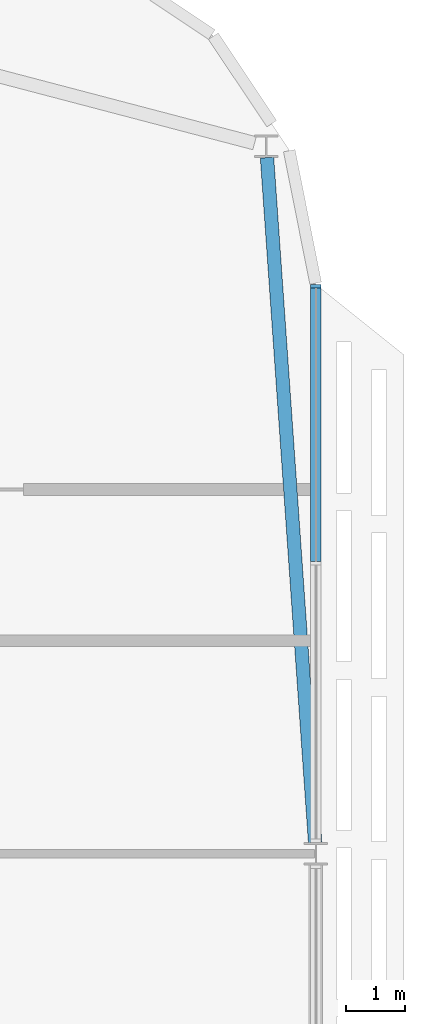
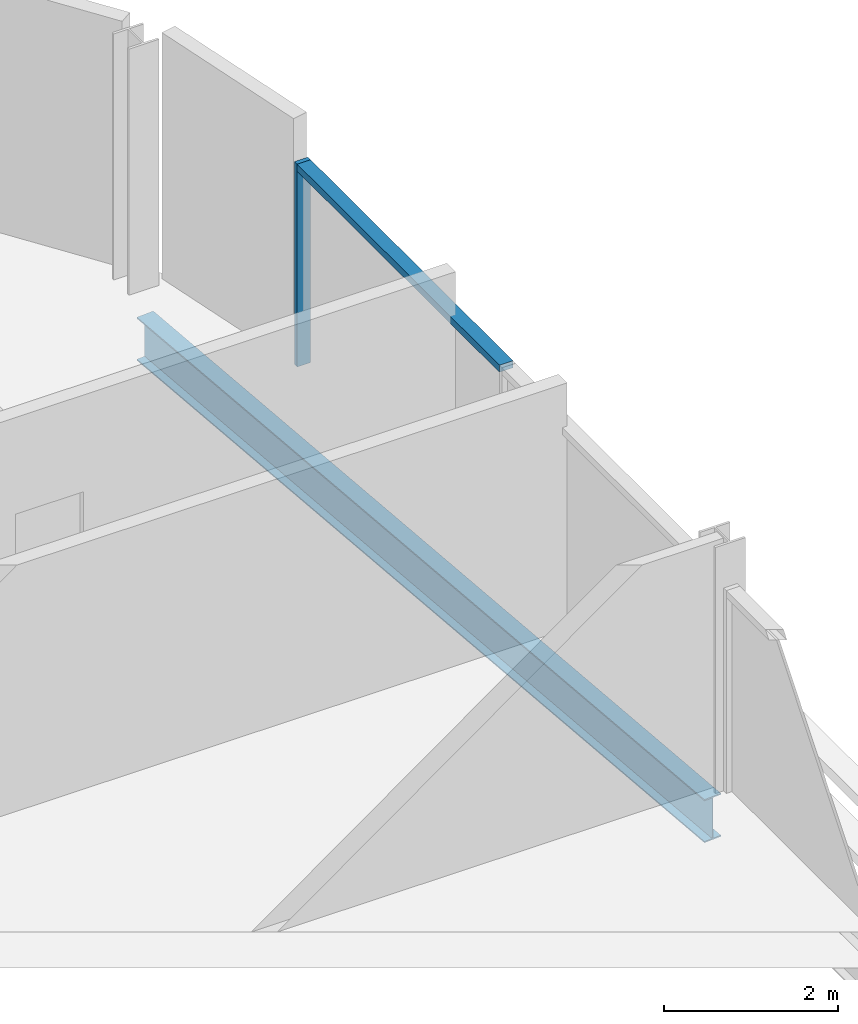
# One storey, part 15 of 34: 2 members, 1 beam, 1 element without a shape of its own.
"""IFC4 building model written with IfcOpenShell, lengths in metres."""

from ifc_helpers import new_model, si_unit, direction, frame, origin, origin_2d, place, context, subcontext, project, spatial, rectangle, i_section, extrude, material, material_profile, profile_set, type_object, element, aggregate, save


model = new_model("IFC4")

# Units and contexts
model_context = context("Model", 3, precision=1e-05, world=origin(), true_north=direction((0.0, 1.0)))
body_context = subcontext(model_context, "Body", "Model", "MODEL_VIEW")
ifc_project = project(units=[si_unit("LENGTHUNIT", "METRE"), si_unit("AREAUNIT", "SQUARE_METRE"), si_unit("VOLUMEUNIT", "CUBIC_METRE"), si_unit("PLANEANGLEUNIT", "RADIAN"), si_unit("MASSUNIT", "GRAM", prefix="KILO")], contexts=[model_context])

# Site, building, storey
site_placement = place(None, origin())
site = spatial("IfcSite", under=ifc_project, at=site_placement, CompositionType="ELEMENT")
building_placement = place(site_placement, origin())
building = spatial("IfcBuilding", under=site, at=building_placement, Name="Mahtab Terrace Research Tower", CompositionType="ELEMENT")
storey_placement = place(building_placement, frame((0.0, 0.0, 247.60009765625)))
storey = spatial("IfcBuildingStorey", under=building, at=storey_placement, Name="L60", CompositionType="ELEMENT", Elevation=247.60009765625)

# Curtain wall, members
ifc_material_1 = material(Name="Office ribbon curtain wall")
curtain_wall_type = type_object("IfcCurtainWallType", Name="Office ribbon curtain wall", PredefinedType="NOTDEFINED", material=ifc_material_1)
curtain_wall_placement = place(storey_placement, origin())
curtain_wall = element("IfcCurtainWall", 1, at=curtain_wall_placement, inside=storey, type_object=curtain_wall_type, Name="EN.L60.18.23", PredefinedType="NOTDEFINED")
ifc_material_2 = material(Name="Natural anodised aluminium", Category="aluminium")
ifc_material_profile_1 = material_profile(ifc_material_2, rectangle(XDim=0.179931640625, YDim=0.06005859375, at=origin_2d()), Name="MULLION 60x180")
ifc_profile_set_1 = profile_set([ifc_material_profile_1], Name="Natural anodised aluminium")
member_type_1 = type_object("IfcMemberType", Name="Office ribbon curtain wall mullion", PredefinedType="MULLION", material=ifc_profile_set_1)
member_1_placement = place(storey_placement, frame((54.0, 21.1650390625, 0.0), z_axis=(0.0, 0.0, 1.0), x_axis=(-1.0, 0.0, 0.0)))
member_1 = element("IfcMember", 2, at=member_1_placement, type_object=member_type_1, Name="CWO-7 mullion 3", PredefinedType="MULLION", context=body_context, shape_type="SweptSolid", body=[
    extrude(rectangle(XDim=0.179931640625, YDim=0.06005859375, at=origin_2d()), origin(), (0.0, 0.0, 1.0), 2.852783203125),
])
ifc_material_profile_2 = material_profile(ifc_material_2, rectangle(XDim=0.179931640625, YDim=0.10009765625, at=origin_2d()), Name="TRANSOM 100x180")
ifc_profile_set_2 = profile_set([ifc_material_profile_2], Name="Natural anodised aluminium")
member_type_2 = type_object("IfcMemberType", Name="Office ribbon curtain wall transom", PredefinedType="USERDEFINED", material=ifc_profile_set_2)
member_2_placement = place(storey_placement, frame((54.0, 16.47412109375, 2.802734375), z_axis=(0.0, 1.0, 0.0), x_axis=(-1.0, 0.0, 0.0)))
member_2 = element("IfcMember", 3, at=member_2_placement, type_object=member_type_2, Name="CWO-7 transom 2", ObjectType="TRANSOM", PredefinedType="USERDEFINED", context=body_context, shape_type="SweptSolid", body=[
    extrude(rectangle(XDim=0.179931640625, YDim=0.10009765625, at=origin_2d()), origin(), (0.0, 0.0, 1.0), 4.660888671875),
])
aggregate(curtain_wall, [member_1, member_2])

# Beam
ifc_material_3 = material(Name="Steel ASTM A992 Gr 50", Category="steel")
ifc_material_profile_3 = material_profile(ifc_material_3, i_section(OverallWidth=0.228271484375, OverallDepth=0.607177734375, WebThickness=0.01123046875, FlangeThickness=0.017333984375, at=origin_2d()), Name="W24X76")
ifc_profile_set_3 = profile_set([ifc_material_profile_3], Name="Steel ASTM A992 Gr 50")
beam_type = type_object("IfcBeamType", Name="W24x76 beam BS2476", PredefinedType="BEAM", material=ifc_profile_set_3)
beam_placement = place(storey_placement, frame((53.986328125, 11.693115234375, -0.6435546875), z_axis=(-0.070055060722, 0.997543126119, 0.0), x_axis=(-0.997543126119, -0.070055060722, 0.0)))
element("IfcBeam", 4, at=beam_placement, inside=storey, type_object=beam_type, Name="Spandrel beam L60 22", PredefinedType="BEAM", context=body_context, shape_type="SweptSolid", body=[
    extrude(i_section(OverallWidth=0.228271484375, OverallDepth=0.607177734375, WebThickness=0.01123046875, FlangeThickness=0.017333984375, at=origin_2d()), origin(), (0.0, 0.0, 1.0), 11.688720703125),
])

save(model, "model.ifc")
